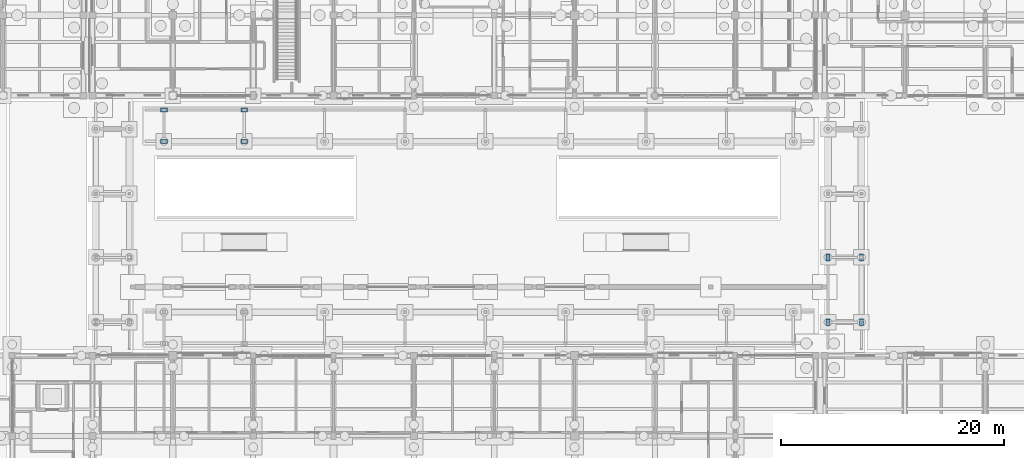
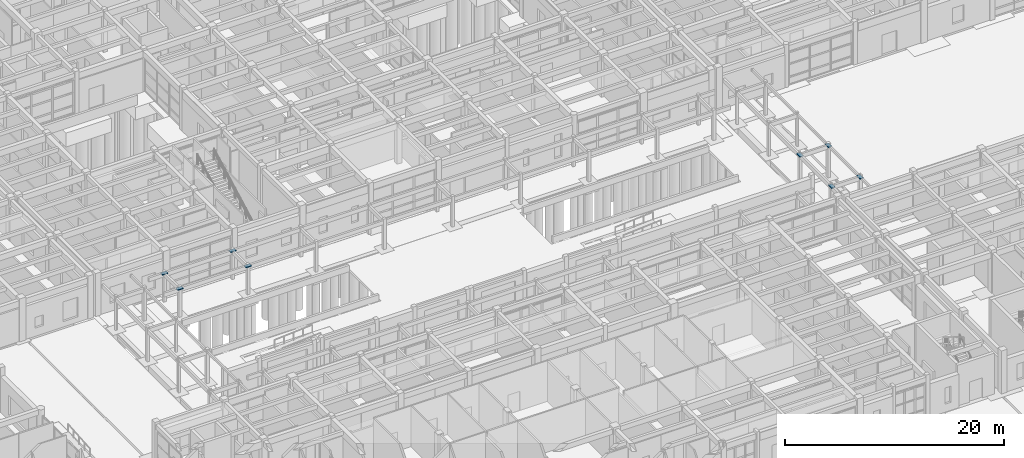
# One storey, part 126 of 143: 8 discrete accessories.
"""IFC4 building model written with IfcOpenShell, lengths in metres."""

from ifc_helpers import new_model, si_unit, direction, frame, origin, origin_2d, place, context, subcontext, project, spatial, rectangle, extrude, material, type_object, element, save


model = new_model("IFC4")

# Units and contexts
model_context = context("Model", 3, precision=1e-05, world=origin(), true_north=direction((0.0, 1.0)))
body_context = subcontext(model_context, "Body", "Model", "MODEL_VIEW")
ifc_project = project(units=[si_unit("LENGTHUNIT", "METRE"), si_unit("AREAUNIT", "SQUARE_METRE"), si_unit("VOLUMEUNIT", "CUBIC_METRE"), si_unit("PLANEANGLEUNIT", "RADIAN"), si_unit("MASSUNIT", "GRAM", prefix="KILO")], contexts=[model_context])

# Site, building, storey
site_placement = place(None, origin())
site = spatial("IfcSite", under=ifc_project, at=site_placement, CompositionType="ELEMENT")
building_placement = place(site_placement, origin())
building = spatial("IfcBuilding", under=site, at=building_placement, Name="Steenspoor Specialist Clinic", CompositionType="ELEMENT")
storey_placement = place(building_placement, origin())
storey = spatial("IfcBuildingStorey", under=building, at=storey_placement, Name="L00", CompositionType="ELEMENT", Elevation=0.0)

# Discrete accessories
ifc_material = material(Name="PTFE elastomeric sliding bearing", Category="steel")
discrete_accessory_type = type_object("IfcDiscreteAccessoryType", Name="ACC-BEARING-PTFE", PredefinedType="BRACKET", material=ifc_material)
for number, where, z_axis, x_axis, name in (
    (1, (118.300048828125, 44.85009765625, 3.46484375), (0.0, 0.0, 1.0), (1.0, 0.0, 0.0), "Walkway sliding bearing BRG-01 (05)"),
    (2, (121.300048828125, 44.85009765625, 3.46484375), (0.0, 0.0, 1.0), (1.0, 0.0, 0.0), "Walkway sliding bearing BRG-01 (06)"),
    (3, (118.300048828125, 50.64990234375, 3.46484375), (0.0, 0.0, 1.0), (1.0, 0.0, 0.0), "Walkway sliding bearing BRG-01 (07)"),
    (4, (121.300048828125, 50.64990234375, 3.46484375), (0.0, 0.0, 1.0), (1.0, 0.0, 0.0), "Walkway sliding bearing BRG-01 (08)"),
):
    element("IfcDiscreteAccessory", number, at=place(storey_placement, frame(where, z_axis=z_axis, x_axis=x_axis)), inside=storey, type_object=discrete_accessory_type, Name=name, PredefinedType="BRACKET", context=body_context, shape_type="SweptSolid", body=[
        extrude(rectangle(XDim=0.360107421875, YDim=0.60009765625, at=origin_2d()), origin(), (0.0, 0.0, 1.0), 0.10009765625),
    ])
for number, where, z_axis, x_axis, name in (
    (5, (58.800048828125, 61.050048828125, 3.06494140625), (0.0, 0.0, 1.0), (1.0, 0.0, 0.0), "Walkway sliding bearing BRG-01 (13)"),
    (6, (58.800048828125, 63.85009765625, 3.06494140625), (0.0, 0.0, 1.0), (1.0, 0.0, 0.0), "Walkway sliding bearing BRG-01 (14)"),
    (7, (66.0, 61.050048828125, 3.06494140625), (0.0, 0.0, 1.0), (1.0, 0.0, 0.0), "Walkway sliding bearing BRG-01 (15)"),
    (8, (66.0, 63.85009765625, 3.06494140625), (0.0, 0.0, 1.0), (1.0, 0.0, 0.0), "Walkway sliding bearing BRG-01 (16)"),
):
    element("IfcDiscreteAccessory", number, at=place(storey_placement, frame(where, z_axis=z_axis, x_axis=x_axis)), inside=storey, type_object=discrete_accessory_type, Name=name, PredefinedType="BRACKET", context=body_context, shape_type="SweptSolid", body=[
        extrude(rectangle(XDim=0.60009765625, YDim=0.360107421875, at=origin_2d()), origin(), (0.0, 0.0, 1.0), 0.10009765625),
    ])

save(model, "model.ifc")
